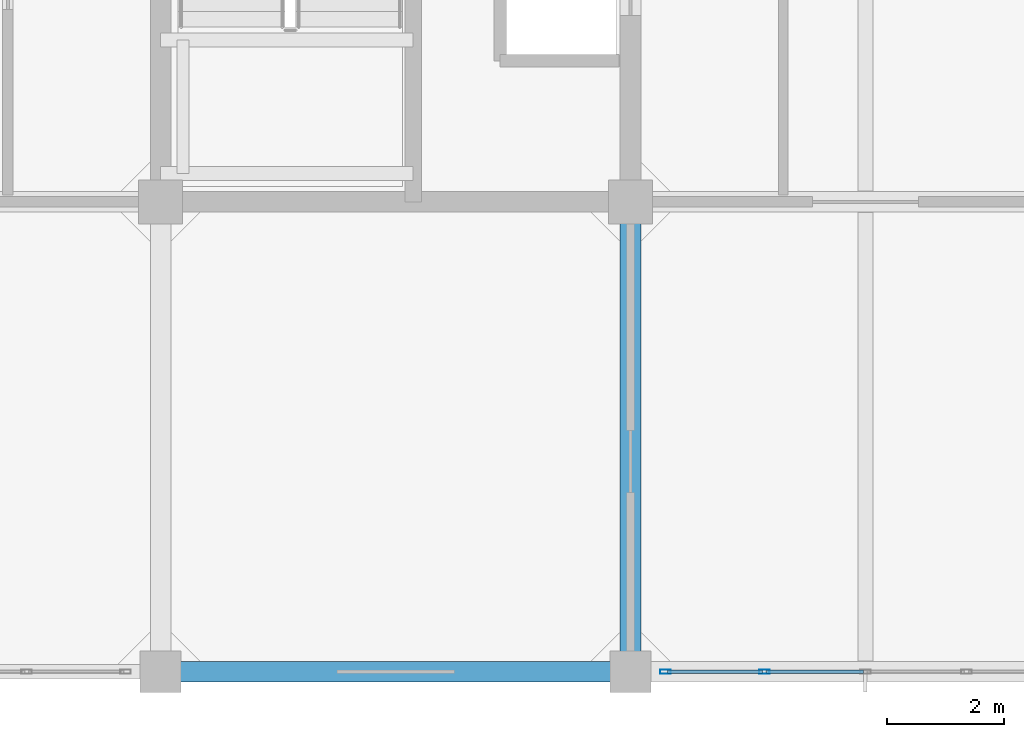
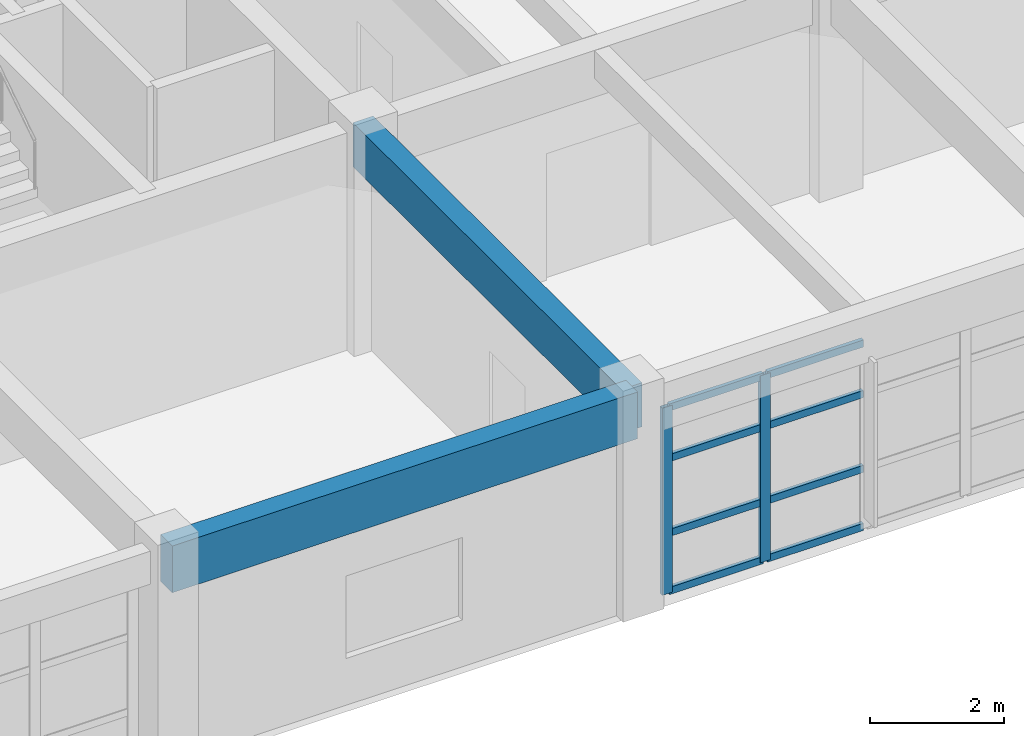
# One storey, part 4 of 25: 10 members, 2 beams, 1 element without a shape of its own.
"""IFC4 building model written with IfcOpenShell, lengths in metres."""

from ifc_helpers import new_model, si_unit, direction, frame, origin, origin_2d, place, context, subcontext, project, spatial, rectangle, hollow_rectangle, extrude, material, layer, layer_set, material_profile, profile_set, type_object, element, aggregate, save


model = new_model("IFC4")

# Units and contexts
model_context = context("Model", 3, precision=1e-05, world=origin(), true_north=direction((0.0, 1.0)))
body_context = subcontext(model_context, "Body", "Model", "MODEL_VIEW")
ifc_project = project(units=[si_unit("LENGTHUNIT", "METRE"), si_unit("AREAUNIT", "SQUARE_METRE"), si_unit("VOLUMEUNIT", "CUBIC_METRE"), si_unit("PLANEANGLEUNIT", "RADIAN"), si_unit("MASSUNIT", "GRAM", prefix="KILO")], contexts=[model_context])

# Site, building, storey
site_placement = place(None, origin())
site = spatial("IfcSite", under=ifc_project, at=site_placement, CompositionType="ELEMENT")
building_placement = place(site_placement, origin())
building = spatial("IfcBuilding", under=site, at=building_placement, Name="Canggui Botanical Conservatory", CompositionType="ELEMENT")
storey_placement = place(building_placement, frame((0.0, 0.0, 40.199951171875)))
storey = spatial("IfcBuildingStorey", under=building, at=storey_placement, Name="L10", CompositionType="ELEMENT", Elevation=40.199951171875)

# Beams
ifc_material_1 = material(Name="Concrete C35", Category="concrete")
ifc_material_profile_1 = material_profile(ifc_material_1, rectangle(XDim=0.35009765625, YDim=0.85009765625, at=origin_2d()), Name="RB 350x850")
ifc_profile_set_1 = profile_set([ifc_material_profile_1], Name="Concrete C35")
beam_type_1 = type_object("IfcBeamType", Name="BM-KL14", PredefinedType="BEAM", material=ifc_profile_set_1)
beam_1_placement = place(storey_placement, frame((154.0, 34.0, 3.53515625), z_axis=(1.0, 0.0, 0.0), x_axis=(0.0, 1.0, 0.0)))
element("IfcBeam", 1, at=beam_1_placement, inside=storey, type_object=beam_type_1, Name="Frame Girder L10 Y34-2", PredefinedType="BEAM", context=body_context, shape_type="SweptSolid", body=[
    extrude(rectangle(XDim=0.35009765625, YDim=0.85009765625, at=origin_2d()), origin(), (0.0, 0.0, 1.0), 8.0),
])
ifc_material_profile_2 = material_profile(ifc_material_1, rectangle(XDim=0.35009765625, YDim=0.800048828125, at=origin_2d()), Name="RB 350x800")
ifc_profile_set_2 = profile_set([ifc_material_profile_2], Name="Concrete C35")
beam_type_2 = type_object("IfcBeamType", Name="BM-KL15", PredefinedType="BEAM", material=ifc_profile_set_2)
beam_2_placement = place(storey_placement, frame((162.0, 34.0, 3.56005859375), z_axis=(0.0, 1.0, 0.0), x_axis=(-1.0, 0.0, 0.0)))
element("IfcBeam", 2, at=beam_2_placement, inside=storey, type_object=beam_type_2, Name="Frame Girder L10 X162-1", PredefinedType="BEAM", context=body_context, shape_type="SweptSolid", body=[
    extrude(rectangle(XDim=0.35009765625, YDim=0.800048828125, at=origin_2d()), origin(), (0.0, 0.0, 1.0), 8.0),
])

# Curtain wall, members
ifc_material_2 = material(Name="Thermally Broken Aluminium", Category="aluminium")
ifc_layer = layer(ifc_material_2, 0.179931640625, Name="Thermally Broken Aluminium", Category="aluminium")
ifc_layer_set = layer_set([ifc_layer], Name="Thermally Broken Aluminium")
curtain_wall_type = type_object("IfcCurtainWallType", Name="CW-UNIT-A", PredefinedType="USERDEFINED", material=ifc_layer_set)
curtain_wall_placement = place(storey_placement, origin())
curtain_wall = element("IfcCurtainWall", 3, at=curtain_wall_placement, inside=storey, type_object=curtain_wall_type, Name="Facade Curtain Wall CW-TWR-L10-02", ObjectType="UNITISED CURTAIN WALL", PredefinedType="USERDEFINED")
ifc_material_profile_3 = material_profile(ifc_material_2, hollow_rectangle(XDim=0.070068359375, YDim=0.179931640625, WallThickness=0.00390625, at=origin_2d()), Name="CWM 70x180x4")
ifc_profile_set_3 = profile_set([ifc_material_profile_3], Name="Thermally Broken Aluminium")
member_type_1 = type_object("IfcMemberType", Name="CWM-01", PredefinedType="MULLION", material=ifc_profile_set_3)
member_1_placement = place(storey_placement, frame((164.280029296875, 34.0, 0.0), z_axis=(0.0, 0.0, 1.0), x_axis=(0.0, -1.0, 0.0)))
member_1 = element("IfcMember", 4, at=member_1_placement, type_object=member_type_1, Name="CW-01 mullion 4", PredefinedType="MULLION", context=body_context, shape_type="SweptSolid", body=[
    extrude(hollow_rectangle(XDim=0.070068359375, YDim=0.179931640625, WallThickness=0.00390625, at=origin_2d()), origin(), (0.0, 0.0, 1.0), 3.400146484375),
])
member_2_placement = place(storey_placement, frame((162.594970703125, 34.0, 0.0), z_axis=(0.0, 0.0, 1.0), x_axis=(0.0, -1.0, 0.0)))
member_2 = element("IfcMember", 5, at=member_2_placement, type_object=member_type_1, Name="CW-01 mullion 5", PredefinedType="MULLION", context=body_context, shape_type="SweptSolid", body=[
    extrude(hollow_rectangle(XDim=0.070068359375, YDim=0.179931640625, WallThickness=0.00390625, at=origin_2d()), origin(), (0.0, 0.0, 1.0), 3.400146484375),
])
ifc_material_profile_4 = material_profile(ifc_material_2, hollow_rectangle(XDim=0.06494140625, YDim=0.1298828125, WallThickness=0.00341796875, at=origin_2d()), Name="CWT 65x130x3.5")
ifc_profile_set_4 = profile_set([ifc_material_profile_4], Name="Thermally Broken Aluminium")
member_type_2 = type_object("IfcMemberType", Name="CWT-01", PredefinedType="USERDEFINED", material=ifc_profile_set_4)
member_3_placement = place(storey_placement, frame((165.965087890625, 34.0, 0.032470703125), z_axis=(-1.0, 0.0, 0.0), x_axis=(0.0, -1.0, 0.0)))
member_3 = element("IfcMember", 6, at=member_3_placement, type_object=member_type_2, Name="CW-01 transom 3.1", ObjectType="TRANSOM", PredefinedType="USERDEFINED", context=body_context, shape_type="SweptSolid", body=[
    extrude(hollow_rectangle(XDim=0.06494140625, YDim=0.1298828125, WallThickness=0.00341796875, at=origin_2d()), origin(), (0.0, 0.0, 1.0), 1.650146484375),
])
member_4_placement = place(storey_placement, frame((165.965087890625, 34.0, 1.088134765625), z_axis=(-1.0, 0.0, 0.0), x_axis=(0.0, -1.0, 0.0)))
member_4 = element("IfcMember", 7, at=member_4_placement, type_object=member_type_2, Name="CW-01 transom 3.2", ObjectType="TRANSOM", PredefinedType="USERDEFINED", context=body_context, shape_type="SweptSolid", body=[
    extrude(hollow_rectangle(XDim=0.06494140625, YDim=0.1298828125, WallThickness=0.00341796875, at=origin_2d()), origin(), (0.0, 0.0, 1.0), 1.650146484375),
])
member_5_placement = place(storey_placement, frame((165.965087890625, 34.0, 2.447998046875), z_axis=(-1.0, 0.0, 0.0), x_axis=(0.0, -1.0, 0.0)))
member_5 = element("IfcMember", 8, at=member_5_placement, type_object=member_type_2, Name="CW-01 transom 3.3", ObjectType="TRANSOM", PredefinedType="USERDEFINED", context=body_context, shape_type="SweptSolid", body=[
    extrude(hollow_rectangle(XDim=0.06494140625, YDim=0.1298828125, WallThickness=0.00341796875, at=origin_2d()), origin(), (0.0, 0.0, 1.0), 1.650146484375),
])
member_6_placement = place(storey_placement, frame((165.965087890625, 34.0, 3.367431640625), z_axis=(-1.0, 0.0, 0.0), x_axis=(0.0, -1.0, 0.0)))
member_6 = element("IfcMember", 9, at=member_6_placement, type_object=member_type_2, Name="CW-01 transom 3.4", ObjectType="TRANSOM", PredefinedType="USERDEFINED", context=body_context, shape_type="SweptSolid", body=[
    extrude(hollow_rectangle(XDim=0.06494140625, YDim=0.1298828125, WallThickness=0.00341796875, at=origin_2d()), origin(), (0.0, 0.0, 1.0), 1.650146484375),
])
member_7_placement = place(storey_placement, frame((164.2451171875, 34.0, 0.032470703125), z_axis=(-1.0, 0.0, 0.0), x_axis=(0.0, -1.0, 0.0)))
member_7 = element("IfcMember", 10, at=member_7_placement, type_object=member_type_2, Name="CW-01 transom 4.1", ObjectType="TRANSOM", PredefinedType="USERDEFINED", context=body_context, shape_type="SweptSolid", body=[
    extrude(hollow_rectangle(XDim=0.06494140625, YDim=0.1298828125, WallThickness=0.00341796875, at=origin_2d()), origin(), (0.0, 0.0, 1.0), 1.615234375),
])
member_8_placement = place(storey_placement, frame((164.2451171875, 34.0, 1.088134765625), z_axis=(-1.0, 0.0, 0.0), x_axis=(0.0, -1.0, 0.0)))
member_8 = element("IfcMember", 11, at=member_8_placement, type_object=member_type_2, Name="CW-01 transom 4.2", ObjectType="TRANSOM", PredefinedType="USERDEFINED", context=body_context, shape_type="SweptSolid", body=[
    extrude(hollow_rectangle(XDim=0.06494140625, YDim=0.1298828125, WallThickness=0.00341796875, at=origin_2d()), origin(), (0.0, 0.0, 1.0), 1.615234375),
])
member_9_placement = place(storey_placement, frame((164.2451171875, 34.0, 2.447998046875), z_axis=(-1.0, 0.0, 0.0), x_axis=(0.0, -1.0, 0.0)))
member_9 = element("IfcMember", 12, at=member_9_placement, type_object=member_type_2, Name="CW-01 transom 4.3", ObjectType="TRANSOM", PredefinedType="USERDEFINED", context=body_context, shape_type="SweptSolid", body=[
    extrude(hollow_rectangle(XDim=0.06494140625, YDim=0.1298828125, WallThickness=0.00341796875, at=origin_2d()), origin(), (0.0, 0.0, 1.0), 1.615234375),
])
member_10_placement = place(storey_placement, frame((164.2451171875, 34.0, 3.367431640625), z_axis=(-1.0, 0.0, 0.0), x_axis=(0.0, -1.0, 0.0)))
member_10 = element("IfcMember", 13, at=member_10_placement, type_object=member_type_2, Name="CW-01 transom 4.4", ObjectType="TRANSOM", PredefinedType="USERDEFINED", context=body_context, shape_type="SweptSolid", body=[
    extrude(hollow_rectangle(XDim=0.06494140625, YDim=0.1298828125, WallThickness=0.00341796875, at=origin_2d()), origin(), (0.0, 0.0, 1.0), 1.615234375),
])
aggregate(curtain_wall, [member_1, member_2, member_3, member_4, member_5, member_6, member_7, member_8, member_9, member_10])

save(model, "model.ifc")
